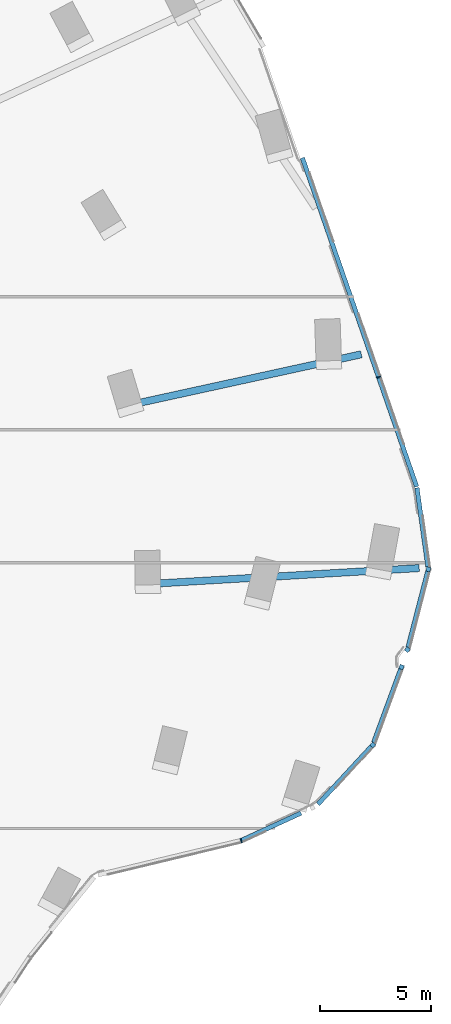
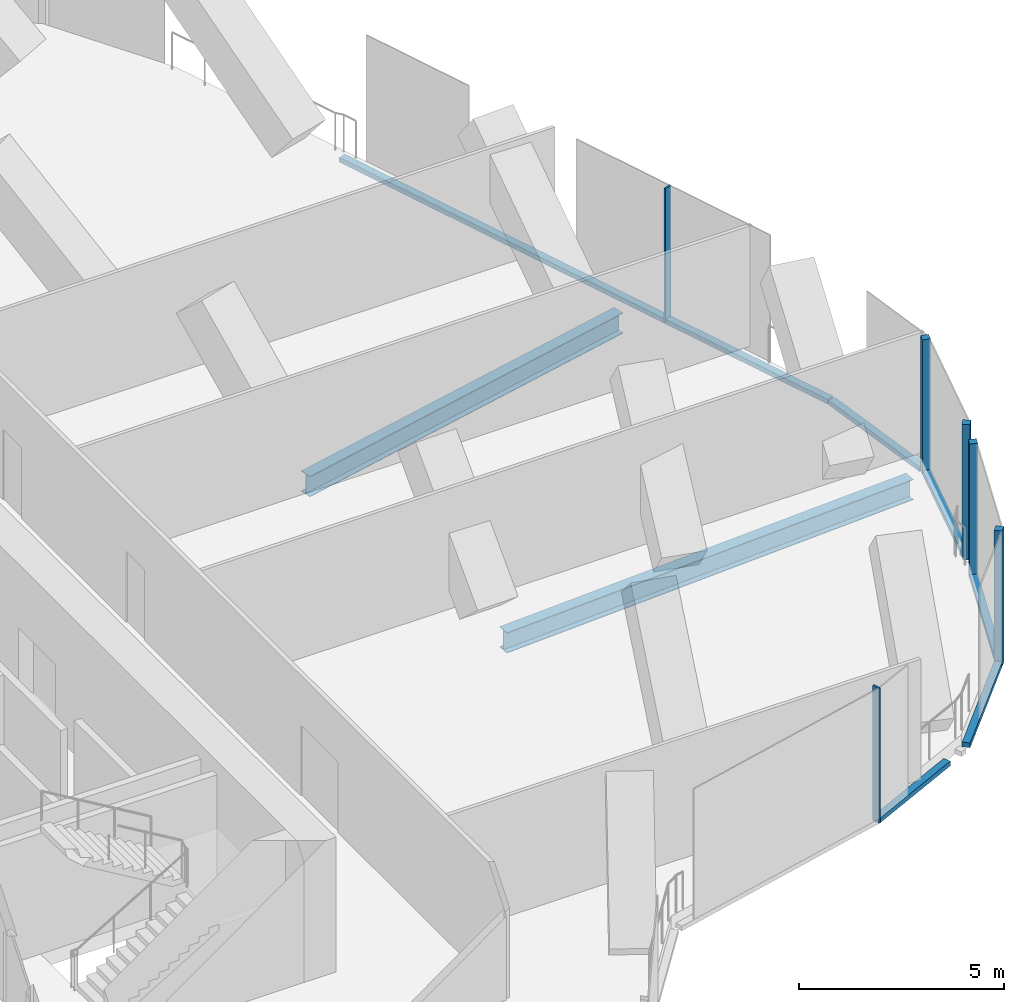
# One storey, part 8 of 26: 12 members, 2 beams, 7 elements without a shape of their own.
"""IFC4 building model written with IfcOpenShell, lengths in metres."""

from ifc_helpers import new_model, si_unit, direction, frame, origin, origin_2d, place, context, subcontext, project, spatial, rectangle, i_section, extrude, material, material_profile, profile_set, type_object, element, aggregate, save


model = new_model("IFC4")

# Units and contexts
model_context = context("Model", 3, precision=1e-05, world=origin(), true_north=direction((0.0, 1.0)))
body_context = subcontext(model_context, "Body", "Model", "MODEL_VIEW")
ifc_project = project(units=[si_unit("LENGTHUNIT", "METRE"), si_unit("AREAUNIT", "SQUARE_METRE"), si_unit("VOLUMEUNIT", "CUBIC_METRE"), si_unit("PLANEANGLEUNIT", "RADIAN"), si_unit("MASSUNIT", "GRAM", prefix="KILO")], contexts=[model_context])

# Site, building, storey
site_placement = place(None, origin())
site = spatial("IfcSite", under=ifc_project, at=site_placement, CompositionType="ELEMENT")
building_placement = place(site_placement, origin())
building = spatial("IfcBuilding", under=site, at=building_placement, Name="Orlundy Tower", CompositionType="ELEMENT")
storey_placement = place(building_placement, frame((0.0, 0.0, 228.0)))
storey = spatial("IfcBuildingStorey", under=building, at=storey_placement, Name="L60", CompositionType="ELEMENT", Elevation=228.0)

# Beams
ifc_material_1 = material(Name="Steel ASTM A992 Gr 50", Category="steel")
ifc_material_profile_1 = material_profile(ifc_material_1, i_section(OverallWidth=0.32373046875, OverallDepth=0.611083984375, WebThickness=0.0126953125, FlangeThickness=0.01904296875, at=origin_2d()), Name="W24X104")
ifc_profile_set_1 = profile_set([ifc_material_profile_1], Name="Steel ASTM A992 Gr 50")
beam_type = type_object("IfcBeamType", Name="CANTILEVER GIRDER beam W24X104", PredefinedType="BEAM", material=ifc_profile_set_1)
beam_1_placement = place(storey_placement, frame((41.904296875, -0.244384765625, -0.7255859375), z_axis=(-0.998276078884, -0.05869301771, 0.0), x_axis=(0.05869301771, -0.998276078884, 0.0)))
element("IfcBeam", 1, at=beam_1_placement, inside=storey, type_object=beam_type, Name="Cantilever girder C-A2-5 L60", PredefinedType="BEAM", context=body_context, shape_type="SweptSolid", body=[
    extrude(i_section(OverallWidth=0.32373046875, OverallDepth=0.611083984375, WebThickness=0.0126953125, FlangeThickness=0.01904296875, at=origin_2d()), origin(), (0.0, 0.0, 1.0), 11.842529296875),
])
beam_2_placement = place(storey_placement, frame((39.293212890625, 9.402099609375, -0.7255859375), z_axis=(-0.976899090127, -0.213701117708, 0.0), x_axis=(0.213701117708, -0.976899090127, 0.0)))
element("IfcBeam", 2, at=beam_2_placement, inside=storey, type_object=beam_type, Name="Cantilever girder C-A3-5 L60", PredefinedType="BEAM", context=body_context, shape_type="SweptSolid", body=[
    extrude(i_section(OverallWidth=0.32373046875, OverallDepth=0.611083984375, WebThickness=0.0126953125, FlangeThickness=0.01904296875, at=origin_2d()), origin(), (0.0, 0.0, 1.0), 10.305908203125),
])

# Curtain wall, members
ifc_material_2 = material(Name="Aluminium bronze anodised", Category="aluminium")
curtain_wall_type = type_object("IfcCurtainWallType", Name="CW5 wall", PredefinedType="NOTDEFINED", material=ifc_material_2)
curtain_wall_1_placement = place(storey_placement, origin())
curtain_wall_1 = element("IfcCurtainWall", 3, at=curtain_wall_1_placement, inside=storey, type_object=curtain_wall_type, Name="CW5 run 023", PredefinedType="NOTDEFINED")
ifc_material_3 = material(Name="Aluminium bronze anodised", Category="aluminium")
ifc_material_profile_2 = material_profile(ifc_material_3, rectangle(XDim=0.199951171875, YDim=0.199951171875, at=origin_2d()), Name="CW5 corner post 200x200")
ifc_profile_set_2 = profile_set([ifc_material_profile_2], Name="Aluminium bronze anodised")
member_type_1 = type_object("IfcMemberType", Name="CW5 corner post 200x200", PredefinedType="MULLION", material=ifc_profile_set_2)
member_1_placement = place(storey_placement, frame((42.314697265625, -0.298828125, -0.419921875), z_axis=(0.0, 0.0, 1.0), x_axis=(0.967797533004, -0.251729885218, 0.0)))
member_1 = element("IfcMember", 4, at=member_1_placement, type_object=member_type_1, Name="CW5 mullion 36", PredefinedType="MULLION", context=body_context, shape_type="SweptSolid", body=[
    extrude(rectangle(XDim=0.199951171875, YDim=0.199951171875, at=origin_2d()), origin(), (0.0, 0.0, 1.0), 4.02001953125),
])
member_2_placement = place(storey_placement, frame((41.371826171875, -3.924560546875, -0.419921875), z_axis=(0.0, 0.0, 1.0), x_axis=(0.797513852275, -0.603300634369, 0.0)))
member_2 = element("IfcMember", 5, at=member_2_placement, type_object=member_type_1, Name="CW5 mullion 37", PredefinedType="MULLION", context=body_context, shape_type="SweptSolid", body=[
    extrude(rectangle(XDim=0.199951171875, YDim=0.199951171875, at=origin_2d()), origin(), (0.0, 0.0, 1.0), 4.02001953125),
])

# Curtain wall, member
curtain_wall_2_placement = place(storey_placement, origin())
curtain_wall_2 = element("IfcCurtainWall", 6, at=curtain_wall_2_placement, inside=storey, type_object=curtain_wall_type, Name="CW5 run 026", PredefinedType="NOTDEFINED")
member_3_placement = place(storey_placement, frame((41.105712890625, -4.708984375, -0.419921875), z_axis=(0.0, 0.0, 1.0), x_axis=(0.938167941859, -0.346180462863, 0.0)))
member_3 = element("IfcMember", 7, at=member_3_placement, type_object=member_type_1, Name="CW5 mullion 39", PredefinedType="MULLION", context=body_context, shape_type="SweptSolid", body=[
    extrude(rectangle(XDim=0.199951171875, YDim=0.199951171875, at=origin_2d()), origin(), (0.0, 0.0, 1.0), 4.02001953125),
])

curtain_wall_3_placement = place(storey_placement, origin())
curtain_wall_3 = element("IfcCurtainWall", 8, at=curtain_wall_3_placement, inside=storey, type_object=curtain_wall_type, Name="CW5 run 027", PredefinedType="NOTDEFINED")
member_4_placement = place(storey_placement, frame((39.808837890625, -8.223388671875, -0.419921875), z_axis=(0.0, 0.0, 1.0), x_axis=(0.734348182738, -0.678772971258, 0.0)))
member_4 = element("IfcMember", 9, at=member_4_placement, type_object=member_type_1, Name="CW5 mullion 40", PredefinedType="MULLION", context=body_context, shape_type="SweptSolid", body=[
    extrude(rectangle(XDim=0.199951171875, YDim=0.199951171875, at=origin_2d()), origin(), (0.0, 0.0, 1.0), 4.02001953125),
])

curtain_wall_4_placement = place(storey_placement, origin())
curtain_wall_4 = element("IfcCurtainWall", 10, at=curtain_wall_4_placement, inside=storey, type_object=curtain_wall_type, Name="CW5 run 021", PredefinedType="NOTDEFINED")
ifc_material_4 = material(Name="Aluminium bronze anodised", Category="aluminium")
ifc_material_profile_3 = material_profile(ifc_material_4, rectangle(XDim=0.199951171875, YDim=0.050048828125, at=origin_2d()), Name="CW5 mullion 50x200")
ifc_profile_set_3 = profile_set([ifc_material_profile_3], Name="Aluminium bronze anodised")
member_type_2 = type_object("IfcMemberType", Name="CW5 mullion 50x200", PredefinedType="MULLION", material=ifc_profile_set_3)
member_5_placement = place(storey_placement, frame((40.072998046875, 8.370849609375, -0.419921875), z_axis=(0.0, 0.0, 1.0), x_axis=(0.944577712924, 0.328287898416, 0.0)))
member_5 = element("IfcMember", 11, at=member_5_placement, type_object=member_type_2, Name="CW5 mullion 34", PredefinedType="MULLION", context=body_context, shape_type="SweptSolid", body=[
    extrude(rectangle(XDim=0.199951171875, YDim=0.050048828125, at=origin_2d()), origin(), (0.0, 0.0, 1.0), 4.02001953125),
])

curtain_wall_5_placement = place(storey_placement, origin())
curtain_wall_5 = element("IfcCurtainWall", 12, at=curtain_wall_5_placement, inside=storey, type_object=curtain_wall_type, Name="CW5 run 029", PredefinedType="NOTDEFINED")
member_6_placement = place(storey_placement, frame((33.873046875, -12.538818359375, -0.419921875), z_axis=(0.0, 0.0, 1.0), x_axis=(0.327673002803, -0.944791195574, 0.0)))
member_6 = element("IfcMember", 13, at=member_6_placement, type_object=member_type_2, Name="CW5 mullion 42", PredefinedType="MULLION", context=body_context, shape_type="SweptSolid", body=[
    extrude(rectangle(XDim=0.199951171875, YDim=0.050048828125, at=origin_2d()), origin(), (0.0, 0.0, 1.0), 4.02001953125),
])
aggregate(curtain_wall_5, [member_6])

# Member
ifc_material_5 = material(Name="Aluminium bronze anodised", Category="aluminium")
ifc_material_profile_4 = material_profile(ifc_material_5, rectangle(XDim=0.199951171875, YDim=0.139892578125, at=origin_2d()), Name="CW5 transom 200x140")
ifc_profile_set_4 = profile_set([ifc_material_profile_4], Name="Aluminium bronze anodised")
member_type_3 = type_object("IfcMemberType", Name="CW5 transom 200x140", PredefinedType="USERDEFINED", material=ifc_profile_set_4)
member_7_placement = place(storey_placement, frame((36.63427734375, 18.26513671875, -0.35009765625), z_axis=(0.328286740811, -0.944578115249, 0.0), x_axis=(0.944578115249, 0.328286740811, 0.0)))
member_7 = element("IfcMember", 14, at=member_7_placement, type_object=member_type_3, Name="CW5 transom", ObjectType="TRANSOM", PredefinedType="USERDEFINED", context=body_context, shape_type="SweptSolid", body=[
    extrude(rectangle(XDim=0.199951171875, YDim=0.139892578125, at=origin_2d()), origin(), (0.0, 0.0, 1.0), 15.70947265625),
])

aggregate(curtain_wall_4, [member_5, member_7])

# Curtain wall, member
curtain_wall_6_placement = place(storey_placement, origin())
curtain_wall_6 = element("IfcCurtainWall", 15, at=curtain_wall_6_placement, inside=storey, type_object=curtain_wall_type, Name="CW5 run 022", PredefinedType="NOTDEFINED")
member_8_placement = place(storey_placement, frame((41.80322265625, 3.377685546875, -0.35009765625), z_axis=(0.137797302042, -0.99046045027, 0.0), x_axis=(0.99046045027, 0.137797302042, 0.0)))
member_8 = element("IfcMember", 16, at=member_8_placement, type_object=member_type_3, Name="CW5 transom", ObjectType="TRANSOM", PredefinedType="USERDEFINED", context=body_context, shape_type="SweptSolid", body=[
    extrude(rectangle(XDim=0.199951171875, YDim=0.139892578125, at=origin_2d()), origin(), (0.0, 0.0, 1.0), 3.603759765625),
])
aggregate(curtain_wall_6, [member_8])

# Member
member_9_placement = place(storey_placement, frame((42.28955078125, -0.395751953125, -0.35009765625), z_axis=(-0.25174761659, -0.967792920795, 0.0), x_axis=(0.967792920795, -0.25174761659, 0.0)))
member_9 = element("IfcMember", 17, at=member_9_placement, type_object=member_type_3, Name="CW5 transom", ObjectType="TRANSOM", PredefinedType="USERDEFINED", context=body_context, shape_type="SweptSolid", body=[
    extrude(rectangle(XDim=0.199951171875, YDim=0.139892578125, at=origin_2d()), origin(), (0.0, 0.0, 1.0), 3.537841796875),
])

aggregate(curtain_wall_1, [member_1, member_2, member_9])

member_10_placement = place(storey_placement, frame((41.071044921875, -4.802734375, -0.35009765625), z_axis=(-0.346149839878, -0.938179241058, 0.0), x_axis=(0.938179241058, -0.346149839878, 0.0)))
member_10 = element("IfcMember", 18, at=member_10_placement, type_object=member_type_3, Name="CW5 transom", ObjectType="TRANSOM", PredefinedType="USERDEFINED", context=body_context, shape_type="SweptSolid", body=[
    extrude(rectangle(XDim=0.199951171875, YDim=0.139892578125, at=origin_2d()), origin(), (0.0, 0.0, 1.0), 3.537841796875),
])

aggregate(curtain_wall_2, [member_3, member_10])

member_11_placement = place(storey_placement, frame((39.740966796875, -8.296630859375, -0.35009765625), z_axis=(-0.678752821591, -0.734366806972, 0.0), x_axis=(0.734366806972, -0.678752821591, 0.0)))
member_11 = element("IfcMember", 19, at=member_11_placement, type_object=member_type_3, Name="CW5 transom", ObjectType="TRANSOM", PredefinedType="USERDEFINED", context=body_context, shape_type="SweptSolid", body=[
    extrude(rectangle(XDim=0.199951171875, YDim=0.139892578125, at=origin_2d()), origin(), (0.0, 0.0, 1.0), 3.538330078125),
])

aggregate(curtain_wall_3, [member_4, member_11])

# Curtain wall, member
curtain_wall_7_placement = place(storey_placement, origin())
curtain_wall_7 = element("IfcCurtainWall", 20, at=curtain_wall_7_placement, inside=storey, type_object=curtain_wall_type, Name="CW5 run 028", PredefinedType="NOTDEFINED")
member_12_placement = place(storey_placement, frame((36.572998046875, -11.2939453125, -0.35009765625), z_axis=(-0.908124131758, -0.418701040504, 0.0), x_axis=(0.418701040504, -0.908124131758, 0.0)))
member_12 = element("IfcMember", 21, at=member_12_placement, type_object=member_type_3, Name="CW5 transom", ObjectType="TRANSOM", PredefinedType="USERDEFINED", context=body_context, shape_type="SweptSolid", body=[
    extrude(rectangle(XDim=0.199951171875, YDim=0.139892578125, at=origin_2d()), origin(), (0.0, 0.0, 1.0), 2.947998046875),
])
aggregate(curtain_wall_7, [member_12])

save(model, "model.ifc")
